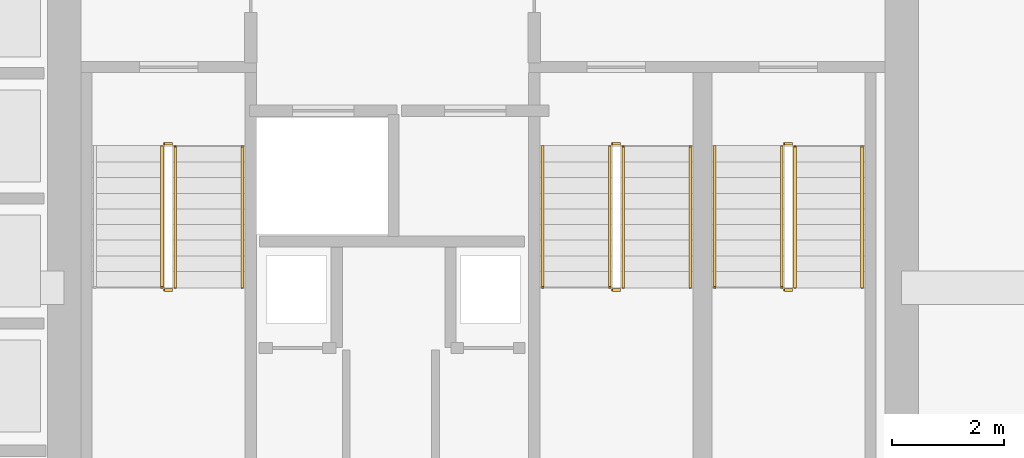
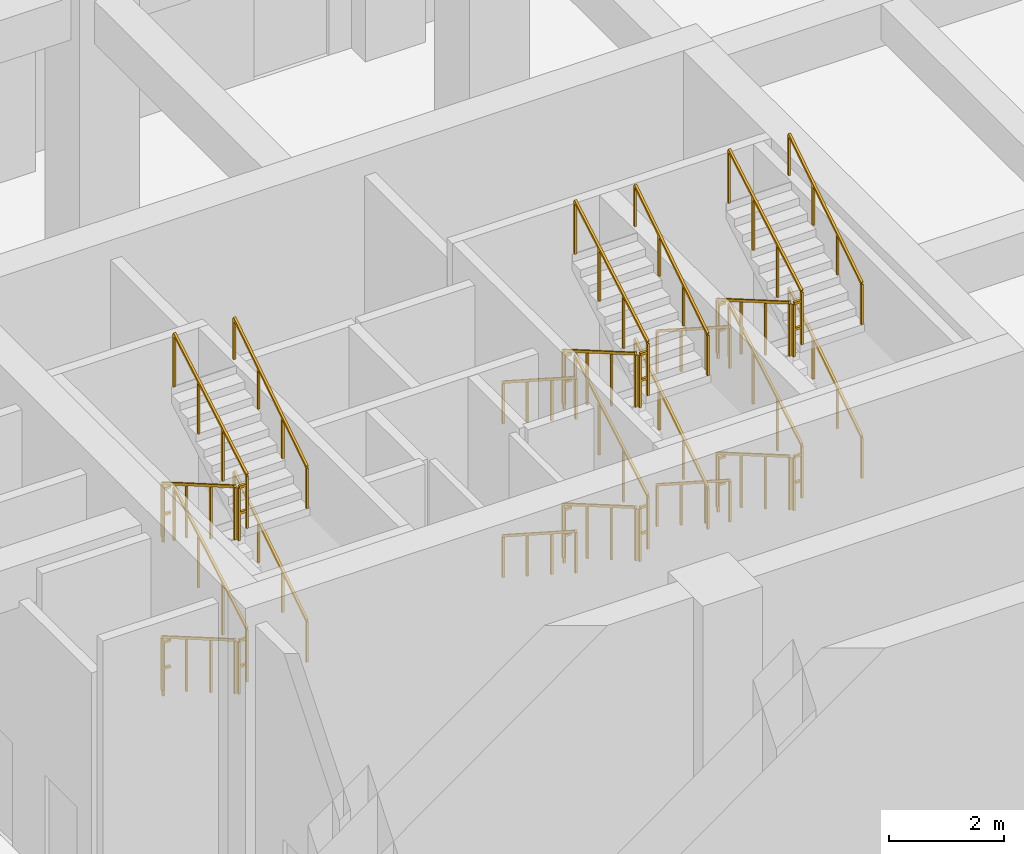
# One storey, part 11 of 13: 34 railings.
"""IFC4 building model written with IfcOpenShell, lengths in metres."""

import ifcopenshell
import ifcopenshell.guid

model = None  # the IFC model being written
_history = None  # IfcOwnerHistory: only IFC2X3 demands one
_inside = {}  # id of a spatial element -> (the spatial element, [elements in it])
_under = {}  # id of a project, library or spatial element -> (it, [spatial elements below it])
_declared = {}  # id of a project -> (the project, [libraries it declares])
_typed = {}  # id of a type object -> (the type object, [elements of that type])
_made_of = {}  # id of a material, layer set ... -> (it, [elements and type objects made of it])


def new_model(schema):
    """Start an empty IFC model of exactly this schema.

    Asked for "IFC4X3", IfcOpenShell would pick the latest addendum, in which some entities
    have other attributes; the version numbers below select the first issue.
    IFC2X3 requires an IfcOwnerHistory on every rooted entity: one is made here for all.
    """
    global model, _history
    if schema == "IFC4X3":
        model = ifcopenshell.file(schema_version=(4, 3, 0, 0))
    else:
        model = ifcopenshell.file(schema=schema)
    _inside.clear()
    _under.clear()
    _declared.clear()
    _typed.clear()
    _made_of.clear()
    _history = None
    if model.schema == "IFC2X3":
        org = make("IfcOrganization", Name="unknown")
        user = make(
            "IfcPersonAndOrganization",
            ThePerson=make("IfcPerson", FamilyName="unknown"),
            TheOrganization=org,
        )
        app = make(
            "IfcApplication",
            ApplicationDeveloper=org,
            Version="unknown",
            ApplicationFullName="unknown",
            ApplicationIdentifier="unknown",
        )
        _history = make(
            "IfcOwnerHistory",
            OwningUser=user,
            OwningApplication=app,
            ChangeAction="ADDED",
            CreationDate=0,
        )
    return model


def make(cls, **values):
    """One entity of the class cls with the attributes given. An attribute that is None is left unset."""
    return model.create_entity(
        cls, **{name: value for name, value in values.items() if value is not None}
    )


def rooted(cls, **values):
    """An entity with a GlobalId (a new one), such as an element, a storey or a relation."""
    return make(cls, GlobalId=ifcopenshell.guid.new(), OwnerHistory=_history, **values)


def si_unit(unit_type, name, prefix=None):
    """IfcSIUnit, for example si_unit("LENGTHUNIT", "METRE", prefix="MILLI")."""
    return make("IfcSIUnit", UnitType=unit_type, Prefix=prefix, Name=name)


def derived_unit(unit_type, elements):
    """IfcDerivedUnit: a product of units, each with its exponent."""
    return make(
        "IfcDerivedUnit",
        Elements=[
            make("IfcDerivedUnitElement", Unit=unit, Exponent=power)
            for unit, power in elements
        ],
        UnitType=unit_type,
    )


def assignment(units):
    """IfcUnitAssignment: the units of a project."""
    return None if units is None else make("IfcUnitAssignment", Units=units)


def point(xyz):
    """IfcCartesianPoint."""
    return None if xyz is None else make("IfcCartesianPoint", Coordinates=xyz)


def direction(xyz):
    """IfcDirection."""
    return None if xyz is None else make("IfcDirection", DirectionRatios=xyz)


def frame(location, z_axis=None, x_axis=None):
    """IfcAxis2Placement3D, a coordinate frame: its origin and axes. An axis left out is left unset."""
    return make(
        "IfcAxis2Placement3D",
        Location=point(location),
        Axis=direction(z_axis),
        RefDirection=direction(x_axis),
    )


def frame_2d(location, x_axis=None):
    """IfcAxis2Placement2D, a coordinate frame in the plane: its origin and x axis."""
    return make(
        "IfcAxis2Placement2D", Location=point(location), RefDirection=direction(x_axis)
    )


def origin():
    """The frame at (0, 0, 0) with its axes left unset."""
    return frame((0.0, 0.0, 0.0))


def origin_2d():
    """The frame at (0, 0) in the plane with its x axis left unset."""
    return frame_2d((0.0, 0.0))


def place(relative_to, where):
    """IfcLocalPlacement: puts the frame where relative to a parent placement (None: the world)."""
    return make(
        "IfcLocalPlacement", PlacementRelTo=relative_to, RelativePlacement=where
    )


def context(
    kind, dimensions, precision=None, world=None, true_north=None, identifier=None
):
    """IfcGeometricRepresentationContext, for example the 3D "Model" context."""
    return make(
        "IfcGeometricRepresentationContext",
        ContextIdentifier=identifier,
        ContextType=kind,
        CoordinateSpaceDimension=dimensions,
        Precision=precision,
        WorldCoordinateSystem=world,
        TrueNorth=true_north,
    )


def subcontext(parent, identifier, kind, view, scale=None):
    """IfcGeometricRepresentationSubContext, for example "Body" below "Model"."""
    return make(
        "IfcGeometricRepresentationSubContext",
        ContextIdentifier=identifier,
        ContextType=kind,
        ParentContext=parent,
        TargetScale=scale,
        TargetView=view,
    )


def project(units=None, contexts=None):
    """IfcProject with its units and contexts."""
    return rooted(
        "IfcProject",
        Name="project",
        RepresentationContexts=contexts,
        UnitsInContext=assignment(units),
    )


def spatial(cls, under=None, at=None, **own):
    """A site, building, storey or space (cls), placed at a placement, below another one or the project."""
    s = rooted(cls, ObjectPlacement=at, **own)
    if under is not None:
        _under.setdefault(under.id(), (under, []))[1].append(s)
    return s


def profile(cls, at=None, kind="AREA", **sizes):
    """A parametric profile (cls). Its sizes go by their IFC names, for example OverallWidth=200.0."""
    return make(cls, ProfileType=kind, Position=at, **sizes)


def rectangle(**sizes):
    """IfcRectangleProfileDef."""
    return profile("IfcRectangleProfileDef", **sizes)


def extrude(swept, where, along, depth):
    """IfcExtrudedAreaSolid: the profile swept, set in the frame where, extruded along a direction by depth."""
    return make(
        "IfcExtrudedAreaSolid",
        SweptArea=swept,
        Position=where,
        ExtrudedDirection=direction(along),
        Depth=depth,
    )


def shape(context_of_items, identifier, shape_type, items):
    """IfcShapeRepresentation: the items that make up one representation, for example the "Body"."""
    return make(
        "IfcShapeRepresentation",
        ContextOfItems=context_of_items,
        RepresentationIdentifier=identifier,
        RepresentationType=shape_type,
        Items=items,
    )


def material(Name=None, Category=None):
    """IfcMaterial."""
    return make("IfcMaterial", Name=Name, Category=Category)


def made_of(thing, what):
    """Note that an element or type object is made of a material, layer set ...; save() writes the relation."""
    if what is not None:
        _made_of.setdefault(what.id(), (what, []))[1].append(thing)
    return thing


def type_object(cls, material=None, **own):
    """A type object (cls), such as IfcWallType, which elements share."""
    return made_of(rooted(cls, **own), material)


def element(
    cls,
    number,
    at=None,
    inside=None,
    cuts=None,
    type_object=None,
    material=None,
    context=None,
    identifier="Body",
    shape_type=None,
    held_by="IfcProductDefinitionShape",
    body=None,
    shapes=None,
    **own,
):
    """One element of the class cls, such as IfcWall. Its Tag is "e" and its number.

    at: its placement. inside: the storey or other place that contains it. cuts: it is an
    opening in that element (IfcRelVoidsElement). A single representation is given by context,
    identifier, shape_type and body (its items); several are given by shapes. held_by: the class
    of the entity that holds the representations. save() writes the other relations.
    """
    e = rooted(cls, Tag="e%d" % number, ObjectPlacement=at, **own)
    if body is not None:
        shapes = [shape(context, identifier, shape_type, body)]
    if shapes is not None:
        e.Representation = make(held_by, Representations=shapes)
    if inside is not None:
        _inside.setdefault(inside.id(), (inside, []))[1].append(e)
    if cuts is not None:
        rooted(
            "IfcRelVoidsElement", RelatingBuildingElement=cuts, RelatedOpeningElement=e
        )
    if type_object is not None:
        _typed.setdefault(type_object.id(), (type_object, []))[1].append(e)
    return made_of(e, material)


def aggregate(whole, parts):
    """IfcRelAggregates: a whole, such as a stair, and the parts it consists of."""
    return rooted("IfcRelAggregates", RelatingObject=whole, RelatedObjects=parts)


def save(model, path):
    """Write the relations noted so far, then the file.

    IfcRelAggregates (storeys below a building ...), IfcRelContainedInSpatialStructure (elements
    in a storey), IfcRelDefinesByType, IfcRelAssociatesMaterial and IfcRelDeclares: one each for
    every whole, place, type object, material and project.
    """
    for whole, parts in _under.values():
        aggregate(whole, parts)
    for where, things in _inside.values():
        rooted(
            "IfcRelContainedInSpatialStructure",
            RelatedElements=things,
            RelatingStructure=where,
        )
    for kind, things in _typed.values():
        rooted("IfcRelDefinesByType", RelatedObjects=things, RelatingType=kind)
    for what, things in _made_of.values():
        rooted("IfcRelAssociatesMaterial", RelatedObjects=things, RelatingMaterial=what)
    for by, libraries in _declared.values():
        rooted("IfcRelDeclares", RelatingContext=by, RelatedDefinitions=libraries)
    model.write(path)


model = new_model("IFC4")

# Units and contexts
model_context = context("Model", 3, precision=1e-05, world=origin(), true_north=direction((0.0, 1.0)))
body_context = subcontext(model_context, "Body", "Model", "MODEL_VIEW")
ifc_project = project(units=[si_unit("LENGTHUNIT", "METRE"), si_unit("AREAUNIT", "SQUARE_METRE"), si_unit("VOLUMEUNIT", "CUBIC_METRE"), si_unit("PLANEANGLEUNIT", "RADIAN"), si_unit("MASSUNIT", "GRAM", prefix="KILO"), si_unit("THERMODYNAMICTEMPERATUREUNIT", "KELVIN"), si_unit("POWERUNIT", "WATT"), derived_unit("THERMALTRANSMITTANCEUNIT", [(si_unit("POWERUNIT", "WATT"), 1), (si_unit("AREAUNIT", "SQUARE_METRE"), -1), (si_unit("THERMODYNAMICTEMPERATUREUNIT", "KELVIN"), -1)])], contexts=[model_context])

# Site, building, storey
site_placement = place(None, origin())
site = spatial("IfcSite", under=ifc_project, at=site_placement, CompositionType="ELEMENT")
building_placement = place(site_placement, origin())
building = spatial("IfcBuilding", under=site, at=building_placement, Name="Zahravan Archway Hotel and Residences", CompositionType="ELEMENT")
storey_placement = place(building_placement, frame((0.0, 0.0, -6.5)))
storey = spatial("IfcBuildingStorey", under=building, at=storey_placement, Name="B01", CompositionType="ELEMENT", Elevation=-6.5)

# Railings
ifc_material_1 = material(Name="Painted Tubular Steel", Category="steel")
railing_type_1 = type_object("IfcRailingType", Name="RL-STG-1150", PredefinedType="GUARDRAIL", material=ifc_material_1)
railing_1_placement = place(storey_placement, frame((36.550048828125, 9.72998046875, 0.16259765625)))
element("IfcRailing", 1, at=railing_1_placement, inside=storey, type_object=railing_type_1, Name="B01 ST-A1 stair guard 1", PredefinedType="GUARDRAIL", context=body_context, shape_type="SweptSolid", body=[
    extrude(rectangle(XDim=0.048095703125, YDim=0.048095703125, at=origin_2d()), frame((0.0, 0.0, 1.1259765625), z_axis=(0.0, -0.864913338283, 0.50192122615), x_axis=(1.0, 0.0, 0.0)), (0.0, 0.0, 1.0), 2.91357421875),
    extrude(rectangle(XDim=0.0419921875, YDim=0.0419921875, at=origin_2d()), origin(), (0.0, 0.0, 1.0), 1.101806640625),
    extrude(rectangle(XDim=0.0419921875, YDim=0.0419921875, at=origin_2d()), frame((0.0, -0.840087890625, 0.487548828125)), (0.0, 0.0, 1.0), 1.101806640625),
    extrude(rectangle(XDim=0.0419921875, YDim=0.0419921875, at=origin_2d()), frame((0.0, -1.679931640625, 0.974853515625)), (0.0, 0.0, 1.0), 1.101806640625),
    extrude(rectangle(XDim=0.0419921875, YDim=0.0419921875, at=origin_2d()), frame((0.0, -2.52001953125, 1.46240234375)), (0.0, 0.0, 1.0), 1.101806640625),
])
railing_2_placement = place(storey_placement, frame((36.60009765625, 7.159912109375, 1.625)))
element("IfcRailing", 2, at=railing_2_placement, inside=storey, type_object=railing_type_1, Name="B01 ST-A1 stair guard 2", PredefinedType="GUARDRAIL", context=body_context, shape_type="SweptSolid", body=[
    extrude(rectangle(XDim=0.048095703125, YDim=0.048095703125, at=origin_2d()), frame((0.0, 0.0, 1.1259765625), z_axis=(1.0, 0.0, 0.0), x_axis=(0.0, 1.0, 0.0)), (0.0, 0.0, 1.0), 0.139892578125),
    extrude(rectangle(XDim=0.048095703125, YDim=0.048095703125, at=origin_2d()), frame((0.0, 0.0, 0.574951171875), z_axis=(1.0, 0.0, 0.0), x_axis=(0.0, 1.0, 0.0)), (0.0, 0.0, 1.0), 0.139892578125),
    extrude(rectangle(XDim=0.0419921875, YDim=0.0419921875, at=origin_2d()), origin(), (0.0, 0.0, 1.0), 1.101806640625),
])
railing_3_placement = place(storey_placement, frame((36.7900390625, 7.2099609375, 1.78759765625)))
element("IfcRailing", 3, at=railing_3_placement, inside=storey, type_object=railing_type_1, Name="B01 ST-A1 stair guard 3", PredefinedType="GUARDRAIL", context=body_context, shape_type="SweptSolid", body=[
    extrude(rectangle(XDim=0.048095703125, YDim=0.048095703125, at=origin_2d()), frame((0.0, 0.0, 1.1259765625), z_axis=(0.0, 0.864913338283, 0.50192122615), x_axis=(-1.0, 0.0, 0.0)), (0.0, 0.0, 1.0), 2.91357421875),
    extrude(rectangle(XDim=0.0419921875, YDim=0.0419921875, at=origin_2d()), origin(), (0.0, 0.0, 1.0), 1.101806640625),
    extrude(rectangle(XDim=0.0419921875, YDim=0.0419921875, at=origin_2d()), frame((0.0, 0.840087890625, 0.487548828125)), (0.0, 0.0, 1.0), 1.101806640625),
    extrude(rectangle(XDim=0.0419921875, YDim=0.0419921875, at=origin_2d()), frame((0.0, 1.679931640625, 0.974853515625)), (0.0, 0.0, 1.0), 1.101806640625),
    extrude(rectangle(XDim=0.0419921875, YDim=0.0419921875, at=origin_2d()), frame((0.0, 2.52001953125, 1.46240234375)), (0.0, 0.0, 1.0), 1.101806640625),
])
railing_4_placement = place(storey_placement, frame((36.60009765625, 9.780029296875, 3.25)))
element("IfcRailing", 4, at=railing_4_placement, inside=storey, type_object=railing_type_1, Name="B01 ST-A1 stair guard 4", PredefinedType="GUARDRAIL", context=body_context, shape_type="SweptSolid", body=[
    extrude(rectangle(XDim=0.048095703125, YDim=0.048095703125, at=origin_2d()), frame((0.0, 0.0, 1.1259765625), z_axis=(1.0, 0.0, 0.0), x_axis=(0.0, 1.0, 0.0)), (0.0, 0.0, 1.0), 0.139892578125),
    extrude(rectangle(XDim=0.048095703125, YDim=0.048095703125, at=origin_2d()), frame((0.0, 0.0, 0.574951171875), z_axis=(1.0, 0.0, 0.0), x_axis=(0.0, 1.0, 0.0)), (0.0, 0.0, 1.0), 0.139892578125),
    extrude(rectangle(XDim=0.0419921875, YDim=0.0419921875, at=origin_2d()), origin(), (0.0, 0.0, 1.0), 1.101806640625),
])
railing_5_placement = place(storey_placement, frame((36.550048828125, 9.72998046875, 3.41259765625)))
element("IfcRailing", 5, at=railing_5_placement, inside=storey, type_object=railing_type_1, Name="B01 ST-A1 stair guard 5", PredefinedType="GUARDRAIL", context=body_context, shape_type="SweptSolid", body=[
    extrude(rectangle(XDim=0.048095703125, YDim=0.048095703125, at=origin_2d()), frame((0.0, 0.0, 1.1259765625), z_axis=(0.0, -0.864913338283, 0.50192122615), x_axis=(1.0, 0.0, 0.0)), (0.0, 0.0, 1.0), 2.91357421875),
    extrude(rectangle(XDim=0.0419921875, YDim=0.0419921875, at=origin_2d()), origin(), (0.0, 0.0, 1.0), 1.101806640625),
    extrude(rectangle(XDim=0.0419921875, YDim=0.0419921875, at=origin_2d()), frame((0.0, -0.840087890625, 0.487548828125)), (0.0, 0.0, 1.0), 1.101806640625),
    extrude(rectangle(XDim=0.0419921875, YDim=0.0419921875, at=origin_2d()), frame((0.0, -1.679931640625, 0.974853515625)), (0.0, 0.0, 1.0), 1.101806640625),
    extrude(rectangle(XDim=0.0419921875, YDim=0.0419921875, at=origin_2d()), frame((0.0, -2.52001953125, 1.46240234375)), (0.0, 0.0, 1.0), 1.101806640625),
])
railing_6_placement = place(storey_placement, frame((36.60009765625, 7.159912109375, 4.875)))
element("IfcRailing", 6, at=railing_6_placement, inside=storey, type_object=railing_type_1, Name="B01 ST-A1 stair guard 6", PredefinedType="GUARDRAIL", context=body_context, shape_type="SweptSolid", body=[
    extrude(rectangle(XDim=0.048095703125, YDim=0.048095703125, at=origin_2d()), frame((0.0, 0.0, 1.1259765625), z_axis=(1.0, 0.0, 0.0), x_axis=(0.0, 1.0, 0.0)), (0.0, 0.0, 1.0), 0.139892578125),
    extrude(rectangle(XDim=0.048095703125, YDim=0.048095703125, at=origin_2d()), frame((0.0, 0.0, 0.574951171875), z_axis=(1.0, 0.0, 0.0), x_axis=(0.0, 1.0, 0.0)), (0.0, 0.0, 1.0), 0.139892578125),
    extrude(rectangle(XDim=0.0419921875, YDim=0.0419921875, at=origin_2d()), origin(), (0.0, 0.0, 1.0), 1.101806640625),
])
railing_7_placement = place(storey_placement, frame((36.7900390625, 7.2099609375, 5.03759765625)))
element("IfcRailing", 7, at=railing_7_placement, inside=storey, type_object=railing_type_1, Name="B01 ST-A1 stair guard 7", PredefinedType="GUARDRAIL", context=body_context, shape_type="SweptSolid", body=[
    extrude(rectangle(XDim=0.048095703125, YDim=0.048095703125, at=origin_2d()), frame((0.0, 0.0, 1.1259765625), z_axis=(0.0, 0.864913338283, 0.50192122615), x_axis=(-1.0, 0.0, 0.0)), (0.0, 0.0, 1.0), 2.91357421875),
    extrude(rectangle(XDim=0.0419921875, YDim=0.0419921875, at=origin_2d()), origin(), (0.0, 0.0, 1.0), 1.101806640625),
    extrude(rectangle(XDim=0.0419921875, YDim=0.0419921875, at=origin_2d()), frame((0.0, 0.840087890625, 0.487548828125)), (0.0, 0.0, 1.0), 1.101806640625),
    extrude(rectangle(XDim=0.0419921875, YDim=0.0419921875, at=origin_2d()), frame((0.0, 1.679931640625, 0.974853515625)), (0.0, 0.0, 1.0), 1.101806640625),
    extrude(rectangle(XDim=0.0419921875, YDim=0.0419921875, at=origin_2d()), frame((0.0, 2.52001953125, 1.46240234375)), (0.0, 0.0, 1.0), 1.101806640625),
])
railing_8_placement = place(storey_placement, frame((36.60009765625, 9.780029296875, 0.0)))
element("IfcRailing", 8, at=railing_8_placement, inside=storey, type_object=railing_type_1, Name="B01 ST-A1 stair guard 8", PredefinedType="GUARDRAIL", context=body_context, shape_type="SweptSolid", body=[
    extrude(rectangle(XDim=0.048095703125, YDim=0.048095703125, at=origin_2d()), frame((0.0, 0.0, 1.1259765625), z_axis=(1.0, 0.0, 0.0), x_axis=(0.0, 1.0, 0.0)), (0.0, 0.0, 1.0), 0.139892578125),
    extrude(rectangle(XDim=0.048095703125, YDim=0.048095703125, at=origin_2d()), frame((0.0, 0.0, 0.574951171875), z_axis=(1.0, 0.0, 0.0), x_axis=(0.0, 1.0, 0.0)), (0.0, 0.0, 1.0), 0.139892578125),
    extrude(rectangle(XDim=0.0419921875, YDim=0.0419921875, at=origin_2d()), origin(), (0.0, 0.0, 1.0), 1.101806640625),
])
railing_9_placement = place(storey_placement, frame((44.570068359375, 9.72998046875, 0.16259765625)))
element("IfcRailing", 9, at=railing_9_placement, inside=storey, type_object=railing_type_1, Name="B01 ST-A2 stair guard 1", PredefinedType="GUARDRAIL", context=body_context, shape_type="SweptSolid", body=[
    extrude(rectangle(XDim=0.048095703125, YDim=0.048095703125, at=origin_2d()), frame((0.0, 0.0, 1.1259765625), z_axis=(0.0, -0.864913338283, 0.50192122615), x_axis=(1.0, 0.0, 0.0)), (0.0, 0.0, 1.0), 2.91357421875),
    extrude(rectangle(XDim=0.0419921875, YDim=0.0419921875, at=origin_2d()), origin(), (0.0, 0.0, 1.0), 1.101806640625),
    extrude(rectangle(XDim=0.0419921875, YDim=0.0419921875, at=origin_2d()), frame((0.0, -0.840087890625, 0.487548828125)), (0.0, 0.0, 1.0), 1.101806640625),
    extrude(rectangle(XDim=0.0419921875, YDim=0.0419921875, at=origin_2d()), frame((0.0, -1.679931640625, 0.974853515625)), (0.0, 0.0, 1.0), 1.101806640625),
    extrude(rectangle(XDim=0.0419921875, YDim=0.0419921875, at=origin_2d()), frame((0.0, -2.52001953125, 1.46240234375)), (0.0, 0.0, 1.0), 1.101806640625),
])
railing_10_placement = place(storey_placement, frame((44.6201171875, 7.159912109375, 1.625)))
element("IfcRailing", 10, at=railing_10_placement, inside=storey, type_object=railing_type_1, Name="B01 ST-A2 stair guard 2", PredefinedType="GUARDRAIL", context=body_context, shape_type="SweptSolid", body=[
    extrude(rectangle(XDim=0.048095703125, YDim=0.048095703125, at=origin_2d()), frame((0.0, 0.0, 1.1259765625), z_axis=(1.0, 0.0, 0.0), x_axis=(0.0, 1.0, 0.0)), (0.0, 0.0, 1.0), 0.139892578125),
    extrude(rectangle(XDim=0.048095703125, YDim=0.048095703125, at=origin_2d()), frame((0.0, 0.0, 0.574951171875), z_axis=(1.0, 0.0, 0.0), x_axis=(0.0, 1.0, 0.0)), (0.0, 0.0, 1.0), 0.139892578125),
    extrude(rectangle(XDim=0.0419921875, YDim=0.0419921875, at=origin_2d()), origin(), (0.0, 0.0, 1.0), 1.101806640625),
])
railing_11_placement = place(storey_placement, frame((44.81005859375, 7.2099609375, 1.78759765625)))
element("IfcRailing", 11, at=railing_11_placement, inside=storey, type_object=railing_type_1, Name="B01 ST-A2 stair guard 3", PredefinedType="GUARDRAIL", context=body_context, shape_type="SweptSolid", body=[
    extrude(rectangle(XDim=0.048095703125, YDim=0.048095703125, at=origin_2d()), frame((0.0, 0.0, 1.1259765625), z_axis=(0.0, 0.864913338283, 0.50192122615), x_axis=(-1.0, 0.0, 0.0)), (0.0, 0.0, 1.0), 2.91357421875),
    extrude(rectangle(XDim=0.0419921875, YDim=0.0419921875, at=origin_2d()), origin(), (0.0, 0.0, 1.0), 1.101806640625),
    extrude(rectangle(XDim=0.0419921875, YDim=0.0419921875, at=origin_2d()), frame((0.0, 0.840087890625, 0.487548828125)), (0.0, 0.0, 1.0), 1.101806640625),
    extrude(rectangle(XDim=0.0419921875, YDim=0.0419921875, at=origin_2d()), frame((0.0, 1.679931640625, 0.974853515625)), (0.0, 0.0, 1.0), 1.101806640625),
    extrude(rectangle(XDim=0.0419921875, YDim=0.0419921875, at=origin_2d()), frame((0.0, 2.52001953125, 1.46240234375)), (0.0, 0.0, 1.0), 1.101806640625),
])
railing_12_placement = place(storey_placement, frame((44.6201171875, 9.780029296875, 3.25)))
element("IfcRailing", 12, at=railing_12_placement, inside=storey, type_object=railing_type_1, Name="B01 ST-A2 stair guard 4", PredefinedType="GUARDRAIL", context=body_context, shape_type="SweptSolid", body=[
    extrude(rectangle(XDim=0.048095703125, YDim=0.048095703125, at=origin_2d()), frame((0.0, 0.0, 1.1259765625), z_axis=(1.0, 0.0, 0.0), x_axis=(0.0, 1.0, 0.0)), (0.0, 0.0, 1.0), 0.139892578125),
    extrude(rectangle(XDim=0.048095703125, YDim=0.048095703125, at=origin_2d()), frame((0.0, 0.0, 0.574951171875), z_axis=(1.0, 0.0, 0.0), x_axis=(0.0, 1.0, 0.0)), (0.0, 0.0, 1.0), 0.139892578125),
    extrude(rectangle(XDim=0.0419921875, YDim=0.0419921875, at=origin_2d()), origin(), (0.0, 0.0, 1.0), 1.101806640625),
])
railing_13_placement = place(storey_placement, frame((44.570068359375, 9.72998046875, 3.41259765625)))
element("IfcRailing", 13, at=railing_13_placement, inside=storey, type_object=railing_type_1, Name="B01 ST-A2 stair guard 5", PredefinedType="GUARDRAIL", context=body_context, shape_type="SweptSolid", body=[
    extrude(rectangle(XDim=0.048095703125, YDim=0.048095703125, at=origin_2d()), frame((0.0, 0.0, 1.1259765625), z_axis=(0.0, -0.864913338283, 0.50192122615), x_axis=(1.0, 0.0, 0.0)), (0.0, 0.0, 1.0), 2.91357421875),
    extrude(rectangle(XDim=0.0419921875, YDim=0.0419921875, at=origin_2d()), origin(), (0.0, 0.0, 1.0), 1.101806640625),
    extrude(rectangle(XDim=0.0419921875, YDim=0.0419921875, at=origin_2d()), frame((0.0, -0.840087890625, 0.487548828125)), (0.0, 0.0, 1.0), 1.101806640625),
    extrude(rectangle(XDim=0.0419921875, YDim=0.0419921875, at=origin_2d()), frame((0.0, -1.679931640625, 0.974853515625)), (0.0, 0.0, 1.0), 1.101806640625),
    extrude(rectangle(XDim=0.0419921875, YDim=0.0419921875, at=origin_2d()), frame((0.0, -2.52001953125, 1.46240234375)), (0.0, 0.0, 1.0), 1.101806640625),
])
railing_14_placement = place(storey_placement, frame((44.6201171875, 7.159912109375, 4.875)))
element("IfcRailing", 14, at=railing_14_placement, inside=storey, type_object=railing_type_1, Name="B01 ST-A2 stair guard 6", PredefinedType="GUARDRAIL", context=body_context, shape_type="SweptSolid", body=[
    extrude(rectangle(XDim=0.048095703125, YDim=0.048095703125, at=origin_2d()), frame((0.0, 0.0, 1.1259765625), z_axis=(1.0, 0.0, 0.0), x_axis=(0.0, 1.0, 0.0)), (0.0, 0.0, 1.0), 0.139892578125),
    extrude(rectangle(XDim=0.048095703125, YDim=0.048095703125, at=origin_2d()), frame((0.0, 0.0, 0.574951171875), z_axis=(1.0, 0.0, 0.0), x_axis=(0.0, 1.0, 0.0)), (0.0, 0.0, 1.0), 0.139892578125),
    extrude(rectangle(XDim=0.0419921875, YDim=0.0419921875, at=origin_2d()), origin(), (0.0, 0.0, 1.0), 1.101806640625),
])
railing_15_placement = place(storey_placement, frame((44.81005859375, 7.2099609375, 5.03759765625)))
element("IfcRailing", 15, at=railing_15_placement, inside=storey, type_object=railing_type_1, Name="B01 ST-A2 stair guard 7", PredefinedType="GUARDRAIL", context=body_context, shape_type="SweptSolid", body=[
    extrude(rectangle(XDim=0.048095703125, YDim=0.048095703125, at=origin_2d()), frame((0.0, 0.0, 1.1259765625), z_axis=(0.0, 0.864913338283, 0.50192122615), x_axis=(-1.0, 0.0, 0.0)), (0.0, 0.0, 1.0), 2.91357421875),
    extrude(rectangle(XDim=0.0419921875, YDim=0.0419921875, at=origin_2d()), origin(), (0.0, 0.0, 1.0), 1.101806640625),
    extrude(rectangle(XDim=0.0419921875, YDim=0.0419921875, at=origin_2d()), frame((0.0, 0.840087890625, 0.487548828125)), (0.0, 0.0, 1.0), 1.101806640625),
    extrude(rectangle(XDim=0.0419921875, YDim=0.0419921875, at=origin_2d()), frame((0.0, 1.679931640625, 0.974853515625)), (0.0, 0.0, 1.0), 1.101806640625),
    extrude(rectangle(XDim=0.0419921875, YDim=0.0419921875, at=origin_2d()), frame((0.0, 2.52001953125, 1.46240234375)), (0.0, 0.0, 1.0), 1.101806640625),
])
railing_16_placement = place(storey_placement, frame((44.6201171875, 9.780029296875, 0.0)))
element("IfcRailing", 16, at=railing_16_placement, inside=storey, type_object=railing_type_1, Name="B01 ST-A2 stair guard 8", PredefinedType="GUARDRAIL", context=body_context, shape_type="SweptSolid", body=[
    extrude(rectangle(XDim=0.048095703125, YDim=0.048095703125, at=origin_2d()), frame((0.0, 0.0, 1.1259765625), z_axis=(1.0, 0.0, 0.0), x_axis=(0.0, 1.0, 0.0)), (0.0, 0.0, 1.0), 0.139892578125),
    extrude(rectangle(XDim=0.048095703125, YDim=0.048095703125, at=origin_2d()), frame((0.0, 0.0, 0.574951171875), z_axis=(1.0, 0.0, 0.0), x_axis=(0.0, 1.0, 0.0)), (0.0, 0.0, 1.0), 0.139892578125),
    extrude(rectangle(XDim=0.0419921875, YDim=0.0419921875, at=origin_2d()), origin(), (0.0, 0.0, 1.0), 1.101806640625),
])
railing_17_placement = place(storey_placement, frame((47.64990234375, 9.72998046875, 0.16259765625)))
element("IfcRailing", 17, at=railing_17_placement, inside=storey, type_object=railing_type_1, Name="B01 ST-A3 stair guard 1", PredefinedType="GUARDRAIL", context=body_context, shape_type="SweptSolid", body=[
    extrude(rectangle(XDim=0.048095703125, YDim=0.048095703125, at=origin_2d()), frame((0.0, 0.0, 1.1259765625), z_axis=(0.0, -0.864913338283, 0.50192122615), x_axis=(1.0, 0.0, 0.0)), (0.0, 0.0, 1.0), 2.91357421875),
    extrude(rectangle(XDim=0.0419921875, YDim=0.0419921875, at=origin_2d()), origin(), (0.0, 0.0, 1.0), 1.101806640625),
    extrude(rectangle(XDim=0.0419921875, YDim=0.0419921875, at=origin_2d()), frame((0.0, -0.840087890625, 0.487548828125)), (0.0, 0.0, 1.0), 1.101806640625),
    extrude(rectangle(XDim=0.0419921875, YDim=0.0419921875, at=origin_2d()), frame((0.0, -1.679931640625, 0.974853515625)), (0.0, 0.0, 1.0), 1.101806640625),
    extrude(rectangle(XDim=0.0419921875, YDim=0.0419921875, at=origin_2d()), frame((0.0, -2.52001953125, 1.46240234375)), (0.0, 0.0, 1.0), 1.101806640625),
])
railing_18_placement = place(storey_placement, frame((47.699951171875, 7.159912109375, 1.625)))
element("IfcRailing", 18, at=railing_18_placement, inside=storey, type_object=railing_type_1, Name="B01 ST-A3 stair guard 2", PredefinedType="GUARDRAIL", context=body_context, shape_type="SweptSolid", body=[
    extrude(rectangle(XDim=0.048095703125, YDim=0.048095703125, at=origin_2d()), frame((0.0, 0.0, 1.1259765625), z_axis=(1.0, 0.0, 0.0), x_axis=(0.0, 1.0, 0.0)), (0.0, 0.0, 1.0), 0.14013671875),
    extrude(rectangle(XDim=0.048095703125, YDim=0.048095703125, at=origin_2d()), frame((0.0, 0.0, 0.574951171875), z_axis=(1.0, 0.0, 0.0), x_axis=(0.0, 1.0, 0.0)), (0.0, 0.0, 1.0), 0.14013671875),
    extrude(rectangle(XDim=0.0419921875, YDim=0.0419921875, at=origin_2d()), origin(), (0.0, 0.0, 1.0), 1.101806640625),
])
railing_19_placement = place(storey_placement, frame((47.889892578125, 7.2099609375, 1.78759765625)))
element("IfcRailing", 19, at=railing_19_placement, inside=storey, type_object=railing_type_1, Name="B01 ST-A3 stair guard 3", PredefinedType="GUARDRAIL", context=body_context, shape_type="SweptSolid", body=[
    extrude(rectangle(XDim=0.048095703125, YDim=0.048095703125, at=origin_2d()), frame((0.0, 0.0, 1.1259765625), z_axis=(0.0, 0.864913338283, 0.50192122615), x_axis=(-1.0, 0.0, 0.0)), (0.0, 0.0, 1.0), 2.91357421875),
    extrude(rectangle(XDim=0.0419921875, YDim=0.0419921875, at=origin_2d()), origin(), (0.0, 0.0, 1.0), 1.101806640625),
    extrude(rectangle(XDim=0.0419921875, YDim=0.0419921875, at=origin_2d()), frame((0.0, 0.840087890625, 0.487548828125)), (0.0, 0.0, 1.0), 1.101806640625),
    extrude(rectangle(XDim=0.0419921875, YDim=0.0419921875, at=origin_2d()), frame((0.0, 1.679931640625, 0.974853515625)), (0.0, 0.0, 1.0), 1.101806640625),
    extrude(rectangle(XDim=0.0419921875, YDim=0.0419921875, at=origin_2d()), frame((0.0, 2.52001953125, 1.46240234375)), (0.0, 0.0, 1.0), 1.101806640625),
])
railing_20_placement = place(storey_placement, frame((47.699951171875, 9.780029296875, 3.25)))
element("IfcRailing", 20, at=railing_20_placement, inside=storey, type_object=railing_type_1, Name="B01 ST-A3 stair guard 4", PredefinedType="GUARDRAIL", context=body_context, shape_type="SweptSolid", body=[
    extrude(rectangle(XDim=0.048095703125, YDim=0.048095703125, at=origin_2d()), frame((0.0, 0.0, 1.1259765625), z_axis=(1.0, 0.0, 0.0), x_axis=(0.0, 1.0, 0.0)), (0.0, 0.0, 1.0), 0.14013671875),
    extrude(rectangle(XDim=0.048095703125, YDim=0.048095703125, at=origin_2d()), frame((0.0, 0.0, 0.574951171875), z_axis=(1.0, 0.0, 0.0), x_axis=(0.0, 1.0, 0.0)), (0.0, 0.0, 1.0), 0.14013671875),
    extrude(rectangle(XDim=0.0419921875, YDim=0.0419921875, at=origin_2d()), origin(), (0.0, 0.0, 1.0), 1.101806640625),
])
railing_21_placement = place(storey_placement, frame((47.64990234375, 9.72998046875, 3.41259765625)))
element("IfcRailing", 21, at=railing_21_placement, inside=storey, type_object=railing_type_1, Name="B01 ST-A3 stair guard 5", PredefinedType="GUARDRAIL", context=body_context, shape_type="SweptSolid", body=[
    extrude(rectangle(XDim=0.048095703125, YDim=0.048095703125, at=origin_2d()), frame((0.0, 0.0, 1.1259765625), z_axis=(0.0, -0.864913338283, 0.50192122615), x_axis=(1.0, 0.0, 0.0)), (0.0, 0.0, 1.0), 2.91357421875),
    extrude(rectangle(XDim=0.0419921875, YDim=0.0419921875, at=origin_2d()), origin(), (0.0, 0.0, 1.0), 1.101806640625),
    extrude(rectangle(XDim=0.0419921875, YDim=0.0419921875, at=origin_2d()), frame((0.0, -0.840087890625, 0.487548828125)), (0.0, 0.0, 1.0), 1.101806640625),
    extrude(rectangle(XDim=0.0419921875, YDim=0.0419921875, at=origin_2d()), frame((0.0, -1.679931640625, 0.974853515625)), (0.0, 0.0, 1.0), 1.101806640625),
    extrude(rectangle(XDim=0.0419921875, YDim=0.0419921875, at=origin_2d()), frame((0.0, -2.52001953125, 1.46240234375)), (0.0, 0.0, 1.0), 1.101806640625),
])
railing_22_placement = place(storey_placement, frame((47.699951171875, 7.159912109375, 4.875)))
element("IfcRailing", 22, at=railing_22_placement, inside=storey, type_object=railing_type_1, Name="B01 ST-A3 stair guard 6", PredefinedType="GUARDRAIL", context=body_context, shape_type="SweptSolid", body=[
    extrude(rectangle(XDim=0.048095703125, YDim=0.048095703125, at=origin_2d()), frame((0.0, 0.0, 1.1259765625), z_axis=(1.0, 0.0, 0.0), x_axis=(0.0, 1.0, 0.0)), (0.0, 0.0, 1.0), 0.14013671875),
    extrude(rectangle(XDim=0.048095703125, YDim=0.048095703125, at=origin_2d()), frame((0.0, 0.0, 0.574951171875), z_axis=(1.0, 0.0, 0.0), x_axis=(0.0, 1.0, 0.0)), (0.0, 0.0, 1.0), 0.14013671875),
    extrude(rectangle(XDim=0.0419921875, YDim=0.0419921875, at=origin_2d()), origin(), (0.0, 0.0, 1.0), 1.101806640625),
])
railing_23_placement = place(storey_placement, frame((47.889892578125, 7.2099609375, 5.03759765625)))
element("IfcRailing", 23, at=railing_23_placement, inside=storey, type_object=railing_type_1, Name="B01 ST-A3 stair guard 7", PredefinedType="GUARDRAIL", context=body_context, shape_type="SweptSolid", body=[
    extrude(rectangle(XDim=0.048095703125, YDim=0.048095703125, at=origin_2d()), frame((0.0, 0.0, 1.1259765625), z_axis=(0.0, 0.864913338283, 0.50192122615), x_axis=(-1.0, 0.0, 0.0)), (0.0, 0.0, 1.0), 2.91357421875),
    extrude(rectangle(XDim=0.0419921875, YDim=0.0419921875, at=origin_2d()), origin(), (0.0, 0.0, 1.0), 1.101806640625),
    extrude(rectangle(XDim=0.0419921875, YDim=0.0419921875, at=origin_2d()), frame((0.0, 0.840087890625, 0.487548828125)), (0.0, 0.0, 1.0), 1.101806640625),
    extrude(rectangle(XDim=0.0419921875, YDim=0.0419921875, at=origin_2d()), frame((0.0, 1.679931640625, 0.974853515625)), (0.0, 0.0, 1.0), 1.101806640625),
    extrude(rectangle(XDim=0.0419921875, YDim=0.0419921875, at=origin_2d()), frame((0.0, 2.52001953125, 1.46240234375)), (0.0, 0.0, 1.0), 1.101806640625),
])
railing_24_placement = place(storey_placement, frame((47.699951171875, 9.780029296875, 0.0)))
element("IfcRailing", 24, at=railing_24_placement, inside=storey, type_object=railing_type_1, Name="B01 ST-A3 stair guard 8", PredefinedType="GUARDRAIL", context=body_context, shape_type="SweptSolid", body=[
    extrude(rectangle(XDim=0.048095703125, YDim=0.048095703125, at=origin_2d()), frame((0.0, 0.0, 1.1259765625), z_axis=(1.0, 0.0, 0.0), x_axis=(0.0, 1.0, 0.0)), (0.0, 0.0, 1.0), 0.14013671875),
    extrude(rectangle(XDim=0.048095703125, YDim=0.048095703125, at=origin_2d()), frame((0.0, 0.0, 0.574951171875), z_axis=(1.0, 0.0, 0.0), x_axis=(0.0, 1.0, 0.0)), (0.0, 0.0, 1.0), 0.14013671875),
    extrude(rectangle(XDim=0.0419921875, YDim=0.0419921875, at=origin_2d()), origin(), (0.0, 0.0, 1.0), 1.101806640625),
])
ifc_material_2 = material(Name="Brushed Stainless Steel", Category="steel")
railing_type_2 = type_object("IfcRailingType", Name="RL-STH-900", PredefinedType="HANDRAIL", material=ifc_material_2)
for number, where, name in (
    (25, (37.989990234375, 7.2099609375, 1.78759765625), "B01 ST-A1 stair handrail 2"),
    (26, (37.989990234375, 7.2099609375, 5.03759765625), "B01 ST-A1 stair handrail 4"),
):
    element("IfcRailing", number, at=place(storey_placement, frame(where)), inside=storey, type_object=railing_type_2, Name=name, PredefinedType="HANDRAIL", context=body_context, shape_type="SweptSolid", body=[
        extrude(rectangle(XDim=0.048095703125, YDim=0.048095703125, at=origin_2d()), frame((0.0, 0.0, 0.8759765625), z_axis=(0.0, 0.840421059866, 0.541933983188), x_axis=(-1.0, 0.0, 0.0)), (0.0, 0.0, 1.0), 2.99853515625),
        extrude(rectangle(XDim=0.0419921875, YDim=0.0419921875, at=origin_2d()), origin(), (0.0, 0.0, 1.0), 0.851806640625),
        extrude(rectangle(XDim=0.0419921875, YDim=0.0419921875, at=origin_2d()), frame((0.0, 0.840087890625, 0.541748046875)), (0.0, 0.0, 1.0), 0.851806640625),
        extrude(rectangle(XDim=0.0419921875, YDim=0.0419921875, at=origin_2d()), frame((0.0, 1.679931640625, 1.083251953125)), (0.0, 0.0, 1.0), 0.851806640625),
        extrude(rectangle(XDim=0.0419921875, YDim=0.0419921875, at=origin_2d()), frame((0.0, 2.52001953125, 1.625)), (0.0, 0.0, 1.0), 0.851806640625),
    ])
railing_25_placement = place(storey_placement, frame((43.3701171875, 9.72998046875, 0.16259765625)))
element("IfcRailing", 27, at=railing_25_placement, inside=storey, type_object=railing_type_2, Name="B01 ST-A2 stair handrail 1", PredefinedType="HANDRAIL", context=body_context, shape_type="SweptSolid", body=[
    extrude(rectangle(XDim=0.048095703125, YDim=0.048095703125, at=origin_2d()), frame((0.0, 0.0, 0.8759765625), z_axis=(0.0, -0.840421059866, 0.541933983188), x_axis=(1.0, 0.0, 0.0)), (0.0, 0.0, 1.0), 2.99853515625),
    extrude(rectangle(XDim=0.0419921875, YDim=0.0419921875, at=origin_2d()), origin(), (0.0, 0.0, 1.0), 0.851806640625),
    extrude(rectangle(XDim=0.0419921875, YDim=0.0419921875, at=origin_2d()), frame((0.0, -0.840087890625, 0.541748046875)), (0.0, 0.0, 1.0), 0.851806640625),
    extrude(rectangle(XDim=0.0419921875, YDim=0.0419921875, at=origin_2d()), frame((0.0, -1.679931640625, 1.083251953125)), (0.0, 0.0, 1.0), 0.851806640625),
    extrude(rectangle(XDim=0.0419921875, YDim=0.0419921875, at=origin_2d()), frame((0.0, -2.52001953125, 1.625)), (0.0, 0.0, 1.0), 0.851806640625),
])
railing_26_placement = place(storey_placement, frame((46.010009765625, 7.2099609375, 1.78759765625)))
element("IfcRailing", 28, at=railing_26_placement, inside=storey, type_object=railing_type_2, Name="B01 ST-A2 stair handrail 2", PredefinedType="HANDRAIL", context=body_context, shape_type="SweptSolid", body=[
    extrude(rectangle(XDim=0.048095703125, YDim=0.048095703125, at=origin_2d()), frame((0.0, 0.0, 0.8759765625), z_axis=(0.0, 0.840421059866, 0.541933983188), x_axis=(-1.0, 0.0, 0.0)), (0.0, 0.0, 1.0), 2.99853515625),
    extrude(rectangle(XDim=0.0419921875, YDim=0.0419921875, at=origin_2d()), origin(), (0.0, 0.0, 1.0), 0.851806640625),
    extrude(rectangle(XDim=0.0419921875, YDim=0.0419921875, at=origin_2d()), frame((0.0, 0.840087890625, 0.541748046875)), (0.0, 0.0, 1.0), 0.851806640625),
    extrude(rectangle(XDim=0.0419921875, YDim=0.0419921875, at=origin_2d()), frame((0.0, 1.679931640625, 1.083251953125)), (0.0, 0.0, 1.0), 0.851806640625),
    extrude(rectangle(XDim=0.0419921875, YDim=0.0419921875, at=origin_2d()), frame((0.0, 2.52001953125, 1.625)), (0.0, 0.0, 1.0), 0.851806640625),
])
railing_27_placement = place(storey_placement, frame((43.3701171875, 9.72998046875, 3.41259765625)))
element("IfcRailing", 29, at=railing_27_placement, inside=storey, type_object=railing_type_2, Name="B01 ST-A2 stair handrail 3", PredefinedType="HANDRAIL", context=body_context, shape_type="SweptSolid", body=[
    extrude(rectangle(XDim=0.048095703125, YDim=0.048095703125, at=origin_2d()), frame((0.0, 0.0, 0.8759765625), z_axis=(0.0, -0.840421059866, 0.541933983188), x_axis=(1.0, 0.0, 0.0)), (0.0, 0.0, 1.0), 2.99853515625),
    extrude(rectangle(XDim=0.0419921875, YDim=0.0419921875, at=origin_2d()), origin(), (0.0, 0.0, 1.0), 0.851806640625),
    extrude(rectangle(XDim=0.0419921875, YDim=0.0419921875, at=origin_2d()), frame((0.0, -0.840087890625, 0.541748046875)), (0.0, 0.0, 1.0), 0.851806640625),
    extrude(rectangle(XDim=0.0419921875, YDim=0.0419921875, at=origin_2d()), frame((0.0, -1.679931640625, 1.083251953125)), (0.0, 0.0, 1.0), 0.851806640625),
    extrude(rectangle(XDim=0.0419921875, YDim=0.0419921875, at=origin_2d()), frame((0.0, -2.52001953125, 1.625)), (0.0, 0.0, 1.0), 0.851806640625),
])
railing_28_placement = place(storey_placement, frame((46.010009765625, 7.2099609375, 5.03759765625)))
element("IfcRailing", 30, at=railing_28_placement, inside=storey, type_object=railing_type_2, Name="B01 ST-A2 stair handrail 4", PredefinedType="HANDRAIL", context=body_context, shape_type="SweptSolid", body=[
    extrude(rectangle(XDim=0.048095703125, YDim=0.048095703125, at=origin_2d()), frame((0.0, 0.0, 0.8759765625), z_axis=(0.0, 0.840421059866, 0.541933983188), x_axis=(-1.0, 0.0, 0.0)), (0.0, 0.0, 1.0), 2.99853515625),
    extrude(rectangle(XDim=0.0419921875, YDim=0.0419921875, at=origin_2d()), origin(), (0.0, 0.0, 1.0), 0.851806640625),
    extrude(rectangle(XDim=0.0419921875, YDim=0.0419921875, at=origin_2d()), frame((0.0, 0.840087890625, 0.541748046875)), (0.0, 0.0, 1.0), 0.851806640625),
    extrude(rectangle(XDim=0.0419921875, YDim=0.0419921875, at=origin_2d()), frame((0.0, 1.679931640625, 1.083251953125)), (0.0, 0.0, 1.0), 0.851806640625),
    extrude(rectangle(XDim=0.0419921875, YDim=0.0419921875, at=origin_2d()), frame((0.0, 2.52001953125, 1.625)), (0.0, 0.0, 1.0), 0.851806640625),
])
railing_29_placement = place(storey_placement, frame((46.449951171875, 9.72998046875, 0.16259765625)))
element("IfcRailing", 31, at=railing_29_placement, inside=storey, type_object=railing_type_2, Name="B01 ST-A3 stair handrail 1", PredefinedType="HANDRAIL", context=body_context, shape_type="SweptSolid", body=[
    extrude(rectangle(XDim=0.048095703125, YDim=0.048095703125, at=origin_2d()), frame((0.0, 0.0, 0.8759765625), z_axis=(0.0, -0.840421059866, 0.541933983188), x_axis=(1.0, 0.0, 0.0)), (0.0, 0.0, 1.0), 2.99853515625),
    extrude(rectangle(XDim=0.0419921875, YDim=0.0419921875, at=origin_2d()), origin(), (0.0, 0.0, 1.0), 0.851806640625),
    extrude(rectangle(XDim=0.0419921875, YDim=0.0419921875, at=origin_2d()), frame((0.0, -0.840087890625, 0.541748046875)), (0.0, 0.0, 1.0), 0.851806640625),
    extrude(rectangle(XDim=0.0419921875, YDim=0.0419921875, at=origin_2d()), frame((0.0, -1.679931640625, 1.083251953125)), (0.0, 0.0, 1.0), 0.851806640625),
    extrude(rectangle(XDim=0.0419921875, YDim=0.0419921875, at=origin_2d()), frame((0.0, -2.52001953125, 1.625)), (0.0, 0.0, 1.0), 0.851806640625),
])
railing_30_placement = place(storey_placement, frame((49.090087890625, 7.2099609375, 1.78759765625)))
element("IfcRailing", 32, at=railing_30_placement, inside=storey, type_object=railing_type_2, Name="B01 ST-A3 stair handrail 2", PredefinedType="HANDRAIL", context=body_context, shape_type="SweptSolid", body=[
    extrude(rectangle(XDim=0.048095703125, YDim=0.048095703125, at=origin_2d()), frame((0.0, 0.0, 0.8759765625), z_axis=(0.0, 0.840421059866, 0.541933983188), x_axis=(-1.0, 0.0, 0.0)), (0.0, 0.0, 1.0), 2.99853515625),
    extrude(rectangle(XDim=0.0419921875, YDim=0.0419921875, at=origin_2d()), origin(), (0.0, 0.0, 1.0), 0.851806640625),
    extrude(rectangle(XDim=0.0419921875, YDim=0.0419921875, at=origin_2d()), frame((0.0, 0.840087890625, 0.541748046875)), (0.0, 0.0, 1.0), 0.851806640625),
    extrude(rectangle(XDim=0.0419921875, YDim=0.0419921875, at=origin_2d()), frame((0.0, 1.679931640625, 1.083251953125)), (0.0, 0.0, 1.0), 0.851806640625),
    extrude(rectangle(XDim=0.0419921875, YDim=0.0419921875, at=origin_2d()), frame((0.0, 2.52001953125, 1.625)), (0.0, 0.0, 1.0), 0.851806640625),
])
railing_31_placement = place(storey_placement, frame((46.449951171875, 9.72998046875, 3.41259765625)))
element("IfcRailing", 33, at=railing_31_placement, inside=storey, type_object=railing_type_2, Name="B01 ST-A3 stair handrail 3", PredefinedType="HANDRAIL", context=body_context, shape_type="SweptSolid", body=[
    extrude(rectangle(XDim=0.048095703125, YDim=0.048095703125, at=origin_2d()), frame((0.0, 0.0, 0.8759765625), z_axis=(0.0, -0.840421059866, 0.541933983188), x_axis=(1.0, 0.0, 0.0)), (0.0, 0.0, 1.0), 2.99853515625),
    extrude(rectangle(XDim=0.0419921875, YDim=0.0419921875, at=origin_2d()), origin(), (0.0, 0.0, 1.0), 0.851806640625),
    extrude(rectangle(XDim=0.0419921875, YDim=0.0419921875, at=origin_2d()), frame((0.0, -0.840087890625, 0.541748046875)), (0.0, 0.0, 1.0), 0.851806640625),
    extrude(rectangle(XDim=0.0419921875, YDim=0.0419921875, at=origin_2d()), frame((0.0, -1.679931640625, 1.083251953125)), (0.0, 0.0, 1.0), 0.851806640625),
    extrude(rectangle(XDim=0.0419921875, YDim=0.0419921875, at=origin_2d()), frame((0.0, -2.52001953125, 1.625)), (0.0, 0.0, 1.0), 0.851806640625),
])
railing_32_placement = place(storey_placement, frame((49.090087890625, 7.2099609375, 5.03759765625)))
element("IfcRailing", 34, at=railing_32_placement, inside=storey, type_object=railing_type_2, Name="B01 ST-A3 stair handrail 4", PredefinedType="HANDRAIL", context=body_context, shape_type="SweptSolid", body=[
    extrude(rectangle(XDim=0.048095703125, YDim=0.048095703125, at=origin_2d()), frame((0.0, 0.0, 0.8759765625), z_axis=(0.0, 0.840421059866, 0.541933983188), x_axis=(-1.0, 0.0, 0.0)), (0.0, 0.0, 1.0), 2.99853515625),
    extrude(rectangle(XDim=0.0419921875, YDim=0.0419921875, at=origin_2d()), origin(), (0.0, 0.0, 1.0), 0.851806640625),
    extrude(rectangle(XDim=0.0419921875, YDim=0.0419921875, at=origin_2d()), frame((0.0, 0.840087890625, 0.541748046875)), (0.0, 0.0, 1.0), 0.851806640625),
    extrude(rectangle(XDim=0.0419921875, YDim=0.0419921875, at=origin_2d()), frame((0.0, 1.679931640625, 1.083251953125)), (0.0, 0.0, 1.0), 0.851806640625),
    extrude(rectangle(XDim=0.0419921875, YDim=0.0419921875, at=origin_2d()), frame((0.0, 2.52001953125, 1.625)), (0.0, 0.0, 1.0), 0.851806640625),
])

save(model, "model.ifc")
